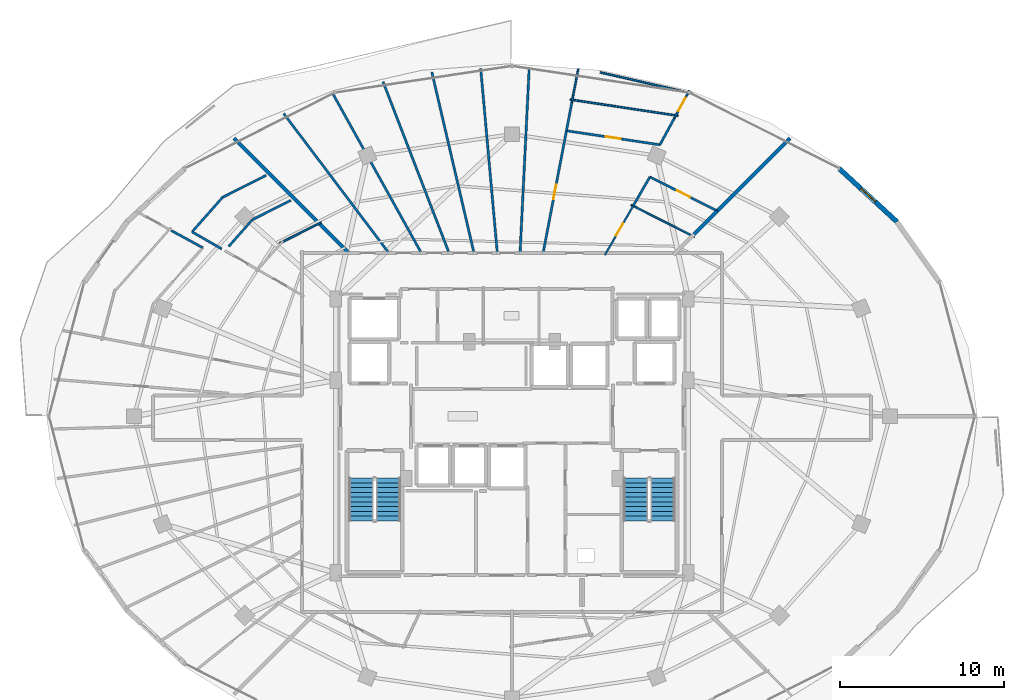
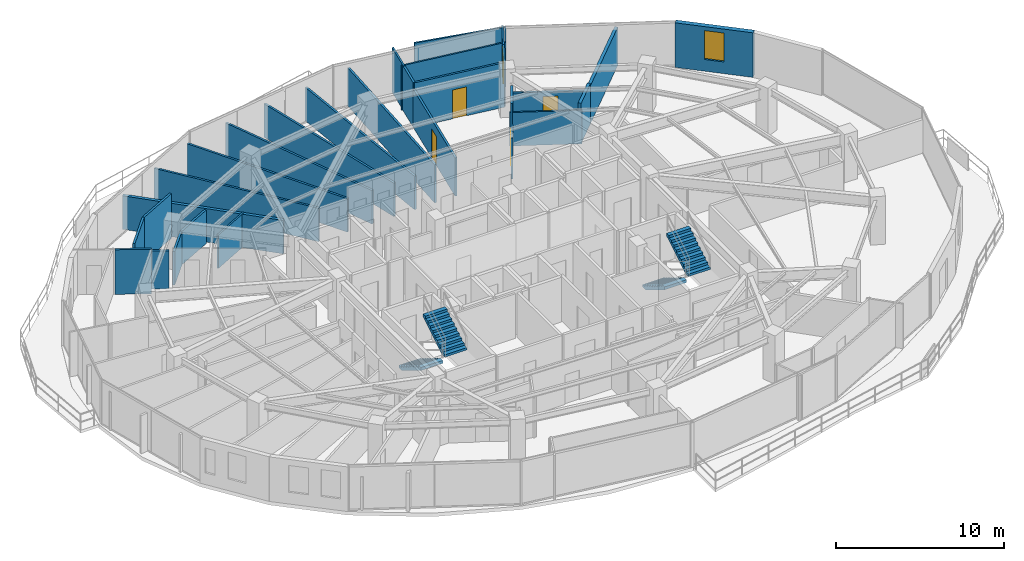
# One storey, part 27 of 31: 29 walls, 5 doors, 4 stair flights, 1 window, 6 openings, 2 elements without a shape of their own.
"""IFC4 building model written with IfcOpenShell, lengths in metres."""

from ifc_helpers import new_model, si_unit, direction, frame, frame_2d, origin, place, context, subcontext, project, spatial, polyline, rectangle, outline, extrude, material, layer, layer_set, type_object, element, fill, aggregate, save


model = new_model("IFC4")

# Units and contexts
model_context = context("Model", 3, precision=1e-05, world=origin(), true_north=direction((0.0, 1.0)))
body_context = subcontext(model_context, "Body", "Model", "MODEL_VIEW")
ifc_project = project(units=[si_unit("LENGTHUNIT", "METRE"), si_unit("AREAUNIT", "SQUARE_METRE"), si_unit("VOLUMEUNIT", "CUBIC_METRE"), si_unit("PLANEANGLEUNIT", "RADIAN"), si_unit("MASSUNIT", "GRAM", prefix="KILO")], contexts=[model_context])

# Site, building, storey
site_placement = place(None, origin())
site = spatial("IfcSite", under=ifc_project, at=site_placement, CompositionType="ELEMENT")
building_placement = place(site_placement, origin())
building = spatial("IfcBuilding", under=site, at=building_placement, Name="Vorneva Point Tower", CompositionType="ELEMENT")
storey_placement = place(building_placement, frame((0.0, 0.0, 193.10009765625)))
storey = spatial("IfcBuildingStorey", under=building, at=storey_placement, Name="L52", CompositionType="ELEMENT", Elevation=193.10009765625)

# Wall, opening, window
ifc_material_1 = material(Name="Precast concrete B50 (C40/50)", Category="concrete")
ifc_layer_1 = layer(ifc_material_1, 0.300048828125)
ifc_layer_set_1 = layer_set([ifc_layer_1], Name="Precast concrete B50 (C40/50)")
wall_type_1 = type_object("IfcWallType", Name="WL-EXT-300", PredefinedType="STANDARD", material=ifc_layer_set_1)
wall_1_placement = place(storey_placement, frame((61.472412109375, 37.861328125, 0.0), z_axis=(0.0, 0.0, 1.0), x_axis=(-0.735359993374, 0.677676678177, 0.0)))
wall_1 = element("IfcWall", 1, at=wall_1_placement, inside=storey, type_object=wall_type_1, Name="L52 Pale-Metal Facade Spandrel Wall 02.2", PredefinedType="STANDARD", context=body_context, shape_type="SweptSolid", body=[
    extrude(rectangle(XDim=4.774169921875, YDim=0.300048828125, at=frame_2d((2.38720703125, 0.0))), origin(), (0.0, 0.0, 1.0), 3.239990234375),
])
opening_1_placement = place(wall_1_placement, frame((1.787109375, 0.0, 0.85009765625)))
opening_1 = element("IfcOpeningElement", 2, at=opening_1_placement, cuts=wall_1, Name="Opening W-04", PredefinedType="OPENING", context=body_context, shape_type="SweptSolid", body=[
    extrude(rectangle(XDim=1.199951171875, YDim=2.10009765625, at=frame_2d((0.60009765625, 1.050048828125))), frame((0.0, 0.1650390625, 0.0), z_axis=(0.0, -1.0, 0.0), x_axis=(1.0, 0.0, 0.0)), (0.0, 0.0, 1.0), 0.329833984375),
])
ifc_material_2 = material(Name="Double low-e laminated glass IGU", Category="glass")
window_type = type_object("IfcWindowType", Name="WN-RES-1200", PartitioningType="SINGLE_PANEL", PredefinedType="WINDOW", material=ifc_material_2)
window_placement = place(opening_1_placement, origin())
window = element("IfcWindow", 3, at=window_placement, inside=storey, type_object=window_type, Name="L52 Facade Window 02", OverallHeight=2.10009765625, OverallWidth=1.199951171875, PartitioningType="SINGLE_PANEL", PredefinedType="WINDOW", context=body_context, shape_type="SweptSolid", body=[
    extrude(rectangle(XDim=1.199951171875, YDim=2.10009765625, at=frame_2d((0.60009765625, 1.050048828125))), frame((0.0, 0.030029296875, 0.0), z_axis=(0.0, -1.0, 0.0), x_axis=(1.0, 0.0, 0.0)), (0.0, 0.0, 1.0), 0.06005859375),
])
fill(opening_1, window)

# Wall, opening, door
ifc_material_3 = material(Name="Fire-rated acoustic gypsum stud partition", Category="gypsum")
ifc_layer_2 = layer(ifc_material_3, 0.110107421875)
ifc_layer_set_2 = layer_set([ifc_layer_2], Name="Fire-rated acoustic gypsum stud partition")
wall_type_2 = type_object("IfcWallType", Name="WL-PART-110", PredefinedType="PARTITIONING", material=ifc_layer_set_2)
wall_2_placement = place(storey_placement, frame((43.6640625, 35.82861328125, 0.0), z_axis=(0.0, 0.0, 1.0), x_axis=(0.49917767271, 0.866499654396, 0.0)))
wall_2 = element("IfcWall", 4, at=wall_2_placement, inside=storey, type_object=wall_type_2, Name="L52 Interior Partition 070", PredefinedType="PARTITIONING", context=body_context, shape_type="SweptSolid", body=[
    extrude(rectangle(XDim=3.595703125, YDim=0.110107421875, at=frame_2d((1.7978515625, 0.0))), origin(), (0.0, 0.0, 1.0), 2.971923828125),
])
opening_2_placement = place(wall_2_placement, frame((1.372802734375, 0.0, 0.0)))
opening_2 = element("IfcOpeningElement", 5, at=opening_2_placement, cuts=wall_2, Name="Opening ID-02", PredefinedType="OPENING", context=body_context, shape_type="SweptSolid", body=[
    extrude(rectangle(XDim=0.85009765625, YDim=2.10009765625, at=frame_2d((0.425048828125, 1.050048828125))), frame((0.0, 0.06982421875, 0.0), z_axis=(0.0, -1.0, 0.0), x_axis=(1.0, 0.0, 0.0)), (0.0, 0.0, 1.0), 0.139892578125),
])
ifc_material_4 = material(Name="Engineered oak fire-rated door leaf", Category="wood")
door_type_1 = type_object("IfcDoorType", Name="DR-BATH-850", OperationType="NOTDEFINED", PredefinedType="DOOR", material=ifc_material_4)
door_1_placement = place(opening_2_placement, origin())
door_1 = element("IfcDoor", 6, at=door_1_placement, inside=storey, type_object=door_type_1, Name="L52 Door Living and Dining Room L52-01 / Bathroom L52-01", OperationType="SINGLE_SWING_RIGHT", OverallHeight=2.10009765625, OverallWidth=0.85009765625, PredefinedType="DOOR", context=body_context, shape_type="SweptSolid", body=[
    extrude(rectangle(XDim=0.85009765625, YDim=2.10009765625, at=frame_2d((0.425048828125, 1.050048828125))), frame((0.0, 0.02490234375, 0.0), z_axis=(0.0, -1.0, 0.0), x_axis=(1.0, 0.0, 0.0)), (0.0, 0.0, 1.0), 0.050048828125),
])
fill(opening_2, door_1)

# Wall
wall_3_placement = place(storey_placement, frame((48.947509765625, 45.689697265625, 0.0), z_axis=(0.0, 0.0, 1.0), x_axis=(-0.974613198555, 0.223895317508, 0.0)))
element("IfcWall", 7, at=wall_3_placement, inside=storey, type_object=wall_type_2, Name="L52 Interior Partition 071", PredefinedType="PARTITIONING", context=body_context, shape_type="SweptSolid", body=[
    extrude(rectangle(XDim=5.71484375, YDim=0.110107421875, at=frame_2d((2.857421875, 0.0))), origin(), (0.0, 0.0, 1.0), 3.239990234375),
])

# Wall, opening, door
wall_4_placement = place(storey_placement, frame((48.819091796875, 45.85693359375, 0.0), z_axis=(0.0, 0.0, 1.0), x_axis=(-0.478311376557, -0.878190313689, 0.0)))
wall_4 = element("IfcWall", 8, at=wall_4_placement, inside=storey, type_object=wall_type_2, Name="L52 Interior Partition 072", PredefinedType="PARTITIONING", context=body_context, shape_type="SweptSolid", body=[
    extrude(rectangle(XDim=1.929931640625, YDim=0.110107421875, at=frame_2d((0.96484375, 0.0))), origin(), (0.0, 0.0, 1.0), 3.239990234375),
])
opening_3_placement = place(wall_4_placement, frame((0.514892578125, 0.0, 0.0)))
opening_3 = element("IfcOpeningElement", 9, at=opening_3_placement, cuts=wall_4, Name="Opening ID-01", PredefinedType="OPENING", context=body_context, shape_type="SweptSolid", body=[
    extrude(rectangle(XDim=0.89990234375, YDim=2.10009765625, at=frame_2d((0.449951171875, 1.050048828125))), frame((0.0, 0.06982421875, 0.0), z_axis=(0.0, -1.0, 0.0), x_axis=(1.0, 0.0, 0.0)), (0.0, 0.0, 1.0), 0.139892578125),
])
door_type_2 = type_object("IfcDoorType", Name="DR-ROOM-900", OperationType="NOTDEFINED", PredefinedType="DOOR", material=ifc_material_4)
door_2_placement = place(opening_3_placement, origin())
door_2 = element("IfcDoor", 10, at=door_2_placement, inside=storey, type_object=door_type_2, Name="L52 Door Living and Dining Room L52-01 / Kitchen L52-01", OperationType="SINGLE_SWING_RIGHT", OverallHeight=2.10009765625, OverallWidth=0.89990234375, PredefinedType="DOOR", context=body_context, shape_type="SweptSolid", body=[
    extrude(rectangle(XDim=0.89990234375, YDim=2.10009765625, at=frame_2d((0.449951171875, 1.050048828125))), frame((0.0, 0.02490234375, 0.0), z_axis=(0.0, -1.0, 0.0), x_axis=(1.0, 0.0, 0.0)), (0.0, 0.0, 1.0), 0.050048828125),
])
fill(opening_3, door_2)

# Walls
wall_5_placement = place(storey_placement, frame((45.263916015625, 38.885986328125, 0.0), z_axis=(0.0, 0.0, 1.0), x_axis=(0.892556527512, -0.450935522216, 0.0)))
element("IfcWall", 11, at=wall_5_placement, inside=storey, type_object=wall_type_2, Name="L52 Interior Partition 078", PredefinedType="PARTITIONING", context=body_context, shape_type="SweptSolid", body=[
    extrude(rectangle(XDim=4.32470703125, YDim=0.110107421875, at=frame_2d((2.162353515625, 0.0))), origin(), (0.0, 0.0, 1.0), 2.431884765625),
])
wall_6_placement = place(storey_placement, frame((41.54052734375, 45.311767578125, 0.0), z_axis=(0.0, 0.0, 1.0), x_axis=(0.988873931206, -0.148756002172, 0.0)))
element("IfcWall", 12, at=wall_6_placement, inside=storey, type_object=wall_type_2, Name="L52 Interior Partition 081", PredefinedType="PARTITIONING", context=body_context, shape_type="SweptSolid", body=[
    extrude(rectangle(XDim=6.6650390625, YDim=0.110107421875, at=frame_2d((3.33251953125, 0.0))), origin(), (0.0, 0.0, 1.0), 3.239990234375),
])
wall_7_placement = place(storey_placement, frame((42.041259765625, 47.1875, 0.0), z_axis=(0.0, 0.0, 1.0), x_axis=(-0.187605166264, -0.982244522301, 0.0)))
element("IfcWall", 13, at=wall_7_placement, inside=storey, type_object=wall_type_2, Name="L52 Interior Partition 082", PredefinedType="PARTITIONING", context=body_context, shape_type="SweptSolid", body=[
    extrude(rectangle(XDim=2.070556640625, YDim=0.110107421875, at=frame_2d((1.03515625, 0.0))), origin(), (0.0, 0.0, 1.0), 3.239990234375),
])
wall_8_placement = place(storey_placement, frame((23.845947265625, 36.5458984375, 0.0), z_axis=(0.0, 0.0, 1.0), x_axis=(0.892553076465, 0.450942352959, 0.0)))
element("IfcWall", 14, at=wall_8_placement, inside=storey, type_object=wall_type_2, Name="L52 Interior Partition 100", PredefinedType="PARTITIONING", context=body_context, shape_type="SweptSolid", body=[
    extrude(rectangle(XDim=2.82568359375, YDim=0.110107421875, at=frame_2d((1.412841796875, 0.0))), origin(), (0.0, 0.0, 1.0), 2.431884765625),
])

# Wall, opening, door
ifc_layer_3 = layer(ifc_material_3, 0.139892578125)
ifc_layer_set_3 = layer_set([ifc_layer_3], Name="Fire-rated acoustic gypsum stud partition")
wall_type_3 = type_object("IfcWallType", Name="WL-PART-140", PredefinedType="PARTITIONING", material=ifc_layer_set_3)
wall_9_placement = place(storey_placement, frame((46.407958984375, 40.592041015625, 0.0), z_axis=(0.0, 0.0, 1.0), x_axis=(0.89252026196, -0.451007297049, 0.0)))
wall_9 = element("IfcWall", 15, at=wall_9_placement, inside=storey, type_object=wall_type_3, Name="L52 Interior Partition 068", PredefinedType="PARTITIONING", context=body_context, shape_type="SweptSolid", body=[
    extrude(rectangle(XDim=4.602783203125, YDim=0.139892578125, at=frame_2d((2.30126953125, 0.0))), origin(), (0.0, 0.0, 1.0), 2.431884765625),
])
opening_4_placement = place(wall_9_placement, frame((1.851318359375, 0.0, 0.0)))
opening_4 = element("IfcOpeningElement", 16, at=opening_4_placement, cuts=wall_9, Name="Opening ID-01", PredefinedType="OPENING", context=body_context, shape_type="SweptSolid", body=[
    extrude(rectangle(XDim=0.89990234375, YDim=2.10009765625, at=frame_2d((0.449951171875, 1.050048828125))), frame((0.0, 0.0849609375, 0.0), z_axis=(0.0, -1.0, 0.0), x_axis=(1.0, 0.0, 0.0)), (0.0, 0.0, 1.0), 0.169677734375),
])
door_3_placement = place(opening_4_placement, origin())
door_3 = element("IfcDoor", 17, at=door_3_placement, inside=storey, type_object=door_type_2, Name="L52 Door Living and Dining Room L52-01 / Family Dining Room L52-01", OperationType="SINGLE_SWING_LEFT", OverallHeight=2.10009765625, OverallWidth=0.89990234375, PredefinedType="DOOR", context=body_context, shape_type="SweptSolid", body=[
    extrude(rectangle(XDim=0.89990234375, YDim=2.10009765625, at=frame_2d((0.449951171875, 1.050048828125))), frame((0.0, 0.02490234375, 0.0), z_axis=(0.0, -1.0, 0.0), x_axis=(1.0, 0.0, 0.0)), (0.0, 0.0, 1.0), 0.050048828125),
])
fill(opening_4, door_3)

# Walls
wall_10_placement = place(storey_placement, frame((45.388916015625, 38.822998046875, 0.0), z_axis=(0.0, 0.0, 1.0), x_axis=(0.499149502221, 0.866515882389, 0.0)))
element("IfcWall", 18, at=wall_10_placement, inside=storey, type_object=wall_type_3, Name="L52 Interior Partition 069", PredefinedType="PARTITIONING", context=body_context, shape_type="SweptSolid", body=[
    extrude(rectangle(XDim=2.04150390625, YDim=0.139892578125, at=frame_2d((1.020751953125, 0.0))), origin(), (0.0, 0.0, 1.0), 2.921875),
])
wall_11_placement = place(storey_placement, frame((47.895751953125, 44.162109375, 0.0), z_axis=(0.0, 0.0, 1.0), x_axis=(-0.47839521225, -0.87814464691, 0.0)))
element("IfcWall", 19, at=wall_11_placement, inside=storey, type_object=wall_type_3, Name="L52 Interior Partition 073", PredefinedType="PARTITIONING", context=body_context, shape_type="SweptSolid", body=[
    extrude(rectangle(XDim=1.834716796875, YDim=0.139892578125, at=frame_2d((0.91748046875, 0.0))), origin(), (0.0, 0.0, 1.0), 3.239990234375),
])

# Wall, opening, door
wall_12_placement = place(storey_placement, frame((47.01806640625, 42.551025390625, 0.0), z_axis=(0.0, 0.0, 1.0), x_axis=(-0.98887565722, 0.148744527827, 0.0)))
wall_12 = element("IfcWall", 20, at=wall_12_placement, inside=storey, type_object=wall_type_3, Name="L52 Interior Partition 074", PredefinedType="PARTITIONING", context=body_context, shape_type="SweptSolid", body=[
    extrude(rectangle(XDim=5.76123046875, YDim=0.139892578125, at=frame_2d((2.880615234375, 0.0))), origin(), (0.0, 0.0, 1.0), 3.239990234375),
])
opening_5_placement = place(wall_12_placement, frame((2.430419921875, 0.0, 0.0)))
opening_5 = element("IfcOpeningElement", 21, at=opening_5_placement, cuts=wall_12, Name="Opening ID-01", PredefinedType="OPENING", context=body_context, shape_type="SweptSolid", body=[
    extrude(rectangle(XDim=0.89990234375, YDim=2.10009765625, at=frame_2d((0.449951171875, 1.050048828125))), frame((0.0, 0.0849609375, 0.0), z_axis=(0.0, -1.0, 0.0), x_axis=(1.0, 0.0, 0.0)), (0.0, 0.0, 1.0), 0.169677734375),
])
door_4_placement = place(opening_5_placement, origin())
door_4 = element("IfcDoor", 22, at=door_4_placement, inside=storey, type_object=door_type_2, Name="L52 Door Living and Dining Room L52-01 / Study Room L52-01", OperationType="SINGLE_SWING_LEFT", OverallHeight=2.10009765625, OverallWidth=0.89990234375, PredefinedType="DOOR", context=body_context, shape_type="SweptSolid", body=[
    extrude(rectangle(XDim=0.89990234375, YDim=2.10009765625, at=frame_2d((0.449951171875, 1.050048828125))), frame((0.0, 0.02490234375, 0.0), z_axis=(0.0, -1.0, 0.0), x_axis=(1.0, 0.0, 0.0)), (0.0, 0.0, 1.0), 0.050048828125),
])
fill(opening_5, door_4)

# Wall
wall_13_placement = place(storey_placement, frame((41.321044921875, 43.407958984375, 0.0), z_axis=(0.0, 0.0, 1.0), x_axis=(0.187217449549, 0.982318495491, 0.0)))
element("IfcWall", 23, at=wall_13_placement, inside=storey, type_object=wall_type_3, Name="L52 Interior Partition 075", PredefinedType="PARTITIONING", context=body_context, shape_type="SweptSolid", body=[
    extrude(rectangle(XDim=1.9169921875, YDim=0.139892578125, at=frame_2d((0.95849609375, 0.0))), origin(), (0.0, 0.0, 1.0), 3.239990234375),
])

# Wall, opening, door
wall_14_placement = place(storey_placement, frame((41.32080078125, 43.407958984375, 0.0), z_axis=(0.0, 0.0, 1.0), x_axis=(-0.187401709503, -0.982283359971, 0.0)))
wall_14 = element("IfcWall", 24, at=wall_14_placement, inside=storey, type_object=wall_type_3, Name="L52 Interior Partition 076", PredefinedType="PARTITIONING", context=body_context, shape_type="SweptSolid", body=[
    extrude(rectangle(XDim=7.592529296875, YDim=0.139892578125, at=frame_2d((3.79638671875, 0.0))), origin(), (0.0, 0.0, 1.0), 2.77392578125),
])
opening_6_placement = place(wall_14_placement, frame((3.34619140625, 0.0, 0.0)))
opening_6 = element("IfcOpeningElement", 25, at=opening_6_placement, cuts=wall_14, Name="Opening ID-01", PredefinedType="OPENING", context=body_context, shape_type="SweptSolid", body=[
    extrude(rectangle(XDim=0.89990234375, YDim=2.10009765625, at=frame_2d((0.449951171875, 1.050048828125))), frame((0.0, 0.0849609375, 0.0), z_axis=(0.0, -1.0, 0.0), x_axis=(1.0, 0.0, 0.0)), (0.0, 0.0, 1.0), 0.169677734375),
])
door_5_placement = place(opening_6_placement, origin())
door_5 = element("IfcDoor", 26, at=door_5_placement, inside=storey, type_object=door_type_2, Name="L52 Door Living and Dining Room L52-01 / Master Bedroom L52-01.1", OperationType="SINGLE_SWING_RIGHT", OverallHeight=2.10009765625, OverallWidth=0.89990234375, PredefinedType="DOOR", context=body_context, shape_type="SweptSolid", body=[
    extrude(rectangle(XDim=0.89990234375, YDim=2.10009765625, at=frame_2d((0.449951171875, 1.050048828125))), frame((0.0, 0.02490234375, 0.0), z_axis=(0.0, -1.0, 0.0), x_axis=(1.0, 0.0, 0.0)), (0.0, 0.0, 1.0), 0.050048828125),
])
fill(opening_6, door_5)

# Walls
wall_15_placement = place(storey_placement, frame((39.051025390625, 47.27099609375, 0.0), z_axis=(0.0, 0.0, 1.0), x_axis=(-0.049324203907, -0.998782820692, 0.0)))
element("IfcWall", 27, at=wall_15_placement, inside=storey, type_object=wall_type_3, Name="L52 Interior Partition 083", PredefinedType="PARTITIONING", context=body_context, shape_type="SweptSolid", body=[
    extrude(rectangle(XDim=11.3349609375, YDim=0.139892578125, at=frame_2d((5.66748046875, 0.0))), origin(), (0.0, 0.0, 1.0), 2.77392578125),
])
wall_16_placement = place(storey_placement, frame((36.091064453125, 47.20703125, 0.0), z_axis=(0.0, 0.0, 1.0), x_axis=(0.089620343685, -0.995976000714, 0.0)))
element("IfcWall", 28, at=wall_16_placement, inside=storey, type_object=wall_type_3, Name="L52 Interior Partition 084", PredefinedType="PARTITIONING", context=body_context, shape_type="SweptSolid", body=[
    extrude(rectangle(XDim=11.302490234375, YDim=0.139892578125, at=frame_2d((5.6513671875, 0.0))), origin(), (0.0, 0.0, 1.0), 2.431884765625),
])
wall_17_placement = place(storey_placement, frame((33.111083984375, 46.985107421875, 0.0), z_axis=(0.0, 0.0, 1.0), x_axis=(0.226889028745, -0.973920617214, 0.0)))
element("IfcWall", 29, at=wall_17_placement, inside=storey, type_object=wall_type_3, Name="L52 Interior Partition 085", PredefinedType="PARTITIONING", context=body_context, shape_type="SweptSolid", body=[
    extrude(rectangle(XDim=11.33056640625, YDim=0.139892578125, at=frame_2d((5.665283203125, 0.0))), origin(), (0.0, 0.0, 1.0), 2.431884765625),
])
wall_18_placement = place(storey_placement, frame((30.135009765625, 46.39794921875, 0.0), z_axis=(0.0, 0.0, 1.0), x_axis=(0.359727007777, -0.933057597298, 0.0)))
element("IfcWall", 30, at=wall_18_placement, inside=storey, type_object=wall_type_3, Name="L52 Interior Partition 086", PredefinedType="PARTITIONING", context=body_context, shape_type="SweptSolid", body=[
    extrude(rectangle(XDim=11.197509765625, YDim=0.139892578125, at=frame_2d((5.5986328125, 0.0))), origin(), (0.0, 0.0, 1.0), 2.431884765625),
])
wall_19_placement = place(storey_placement, frame((27.069091796875, 45.673095703125, 0.0), z_axis=(0.0, 0.0, 1.0), x_axis=(0.485717471054, -0.874115860921, 0.0)))
element("IfcWall", 31, at=wall_19_placement, inside=storey, type_object=wall_type_3, Name="L52 Interior Partition 087", PredefinedType="PARTITIONING", context=body_context, shape_type="SweptSolid", body=[
    extrude(rectangle(XDim=11.123291015625, YDim=0.139892578125, at=frame_2d((5.5615234375, 0.0))), origin(), (0.0, 0.0, 1.0), 2.431884765625),
])
wall_20_placement = place(storey_placement, frame((24.074951171875, 44.4599609375, 0.0), z_axis=(0.0, 0.0, 1.0), x_axis=(0.602185523072, -0.798356183544, 0.0)))
element("IfcWall", 32, at=wall_20_placement, inside=storey, type_object=wall_type_3, Name="L52 Interior Partition 088", PredefinedType="PARTITIONING", context=body_context, shape_type="SweptSolid", body=[
    extrude(rectangle(XDim=10.659423828125, YDim=0.139892578125, at=frame_2d((5.32958984375, 0.0))), origin(), (0.0, 0.0, 1.0), 2.431884765625),
])
wall_21_placement = place(storey_placement, frame((17.22900390625, 37.31689453125, 0.0), z_axis=(0.0, 0.0, 1.0), x_axis=(0.878117834212, -0.47844442649, 0.0)))
element("IfcWall", 33, at=wall_21_placement, inside=storey, type_object=wall_type_3, Name="L52 Interior Partition 094", PredefinedType="PARTITIONING", context=body_context, shape_type="SweptSolid", body=[
    extrude(rectangle(XDim=2.181884765625, YDim=0.139892578125, at=frame_2d((1.0908203125, 0.0))), origin(), (0.0, 0.0, 1.0), 3.239990234375),
])
wall_22_placement = place(storey_placement, frame((18.489990234375, 37.241943359375, 0.0), z_axis=(0.0, 0.0, 1.0), x_axis=(0.662371376331, 0.749175653513, 0.0)))
element("IfcWall", 34, at=wall_22_placement, inside=storey, type_object=wall_type_3, Name="L52 Interior Closure Partition 149", PredefinedType="PARTITIONING", context=body_context, shape_type="SweptSolid", body=[
    extrude(rectangle(XDim=2.809814453125, YDim=0.139892578125, at=frame_2d((1.40478515625, 0.0))), origin(), (0.0, 0.0, 1.0), 3.239990234375),
])
wall_23_placement = place(storey_placement, frame((20.35107421875, 39.346923828125, 0.0), z_axis=(0.0, 0.0, 1.0), x_axis=(0.89244587056, 0.451154483653, 0.0)))
element("IfcWall", 35, at=wall_23_placement, inside=storey, type_object=wall_type_3, Name="L52 Interior Closure Partition 150", PredefinedType="PARTITIONING", context=body_context, shape_type="SweptSolid", body=[
    extrude(rectangle(XDim=2.970458984375, YDim=0.139892578125, at=frame_2d((1.4853515625, 0.0))), origin(), (0.0, 0.0, 1.0), 3.239990234375),
])
wall_24_placement = place(storey_placement, frame((20.300048828125, 36.198974609375, 0.0), z_axis=(0.0, 0.0, 1.0), x_axis=(-0.86645395742, 0.499256987604, 0.0)))
element("IfcWall", 36, at=wall_24_placement, inside=storey, type_object=wall_type_3, Name="L52 Interior Closure Partition 151", PredefinedType="PARTITIONING", context=body_context, shape_type="SweptSolid", body=[
    extrude(rectangle(XDim=2.089111328125, YDim=0.139892578125, at=frame_2d((1.04443359375, 0.0))), origin(), (0.0, 0.0, 1.0), 2.77392578125),
])
wall_25_placement = place(storey_placement, frame((24.51904296875, 39.169921875, 0.0), z_axis=(0.0, 0.0, 1.0), x_axis=(-0.89247840077, -0.451090128643, 0.0)))
element("IfcWall", 37, at=wall_25_placement, inside=storey, type_object=wall_type_3, Name="L52 Interior Closure Partition 152", PredefinedType="PARTITIONING", context=body_context, shape_type="SweptSolid", body=[
    extrude(rectangle(XDim=2.642333984375, YDim=0.139892578125, at=frame_2d((1.3212890625, 0.0))), origin(), (0.0, 0.0, 1.0), 2.431884765625),
])
wall_26_placement = place(storey_placement, frame((22.160888671875, 37.97802734375, 0.0), z_axis=(0.0, 0.0, 1.0), x_axis=(-0.662476802918, -0.749082429106, 0.0)))
element("IfcWall", 38, at=wall_26_placement, inside=storey, type_object=wall_type_3, Name="L52 Interior Closure Partition 153", PredefinedType="PARTITIONING", context=body_context, shape_type="SweptSolid", body=[
    extrude(rectangle(XDim=2.170654296875, YDim=0.139892578125, at=frame_2d((1.08544921875, 0.0))), origin(), (0.0, 0.0, 1.0), 2.431884765625),
])
ifc_material_5 = material(Name="Autoclaved aerated concrete blockwork", Category="masonry")
ifc_layer_4 = layer(ifc_material_5, 0.199951171875)
ifc_layer_set_4 = layer_set([ifc_layer_4], Name="Autoclaved aerated concrete blockwork")
wall_type_4 = type_object("IfcWallType", Name="WL-PART-200", PredefinedType="PARTITIONING", material=ifc_layer_set_4)
wall_27_placement = place(storey_placement, frame((50.51611328125, 38.51611328125, 0.0), z_axis=(0.0, 0.0, 1.0), x_axis=(0.707106781187, 0.707106781187, 0.0)))
element("IfcWall", 39, at=wall_27_placement, inside=storey, type_object=wall_type_4, Name="L52 Interior Partition 077", PredefinedType="PARTITIONING", context=body_context, shape_type="SweptSolid", body=[
    extrude(rectangle(XDim=6.283203125, YDim=0.199951171875, at=frame_2d((3.1416015625, 0.0))), origin(), (0.0, 0.0, 1.0), 2.77392578125),
])
wall_28_placement = place(storey_placement, frame((48.9990234375, 36.9990234375, 0.0), z_axis=(0.0, 0.0, 1.0), x_axis=(0.707106781187, 0.707106781187, 0.0)))
element("IfcWall", 40, at=wall_28_placement, inside=storey, type_object=wall_type_4, Name="L52 Interior Partition 079", PredefinedType="PARTITIONING", context=body_context, shape_type="SweptSolid", body=[
    extrude(rectangle(XDim=2.1455078125, YDim=0.199951171875, at=frame_2d((1.07275390625, 0.0))), origin(), (0.0, 0.0, 1.0), 2.921875),
])
wall_29_placement = place(storey_placement, frame((21.041015625, 42.958984375, 0.0), z_axis=(0.0, 0.0, 1.0), x_axis=(0.707106781187, -0.707106781187, 0.0)))
element("IfcWall", 41, at=wall_29_placement, inside=storey, type_object=wall_type_4, Name="L52 Interior Partition 089", PredefinedType="PARTITIONING", context=body_context, shape_type="SweptSolid", body=[
    extrude(rectangle(XDim=9.912353515625, YDim=0.199951171875, at=frame_2d((4.9560546875, 0.0))), origin(), (0.0, 0.0, 1.0), 2.431884765625),
])

# Stair, stair flights
ifc_material_6 = material(Name="Concrete B50 (C40/50)", Category="concrete")
stair_type = type_object("IfcStairType", Name="ST-DOG-1500", PredefinedType="HALF_TURN_STAIR", material=ifc_material_6)
stair_1_placement = place(storey_placement, origin())
stair_1 = element("IfcStair", 42, at=stair_1_placement, inside=storey, type_object=stair_type, Name="L52 ST1", PredefinedType="HALF_TURN_STAIR")
stair_flight_type = type_object("IfcStairFlightType", Name="STF-1500", PredefinedType="STRAIGHT", material=ifc_material_6)
stair_flight_1_placement = place(storey_placement, frame((28.800048828125, 22.219970703125, 0.0), z_axis=(0.0, 0.0, 1.0), x_axis=(0.0, -1.0, 0.0)))
stair_flight_1 = element("IfcStairFlight", 43, at=stair_flight_1_placement, type_object=stair_flight_type, Name="ST1 flight 1", NumberOfRisers=10, NumberOfTreads=9, PredefinedType="STRAIGHT", RiserHeight=0.175, TreadLength=0.29, context=body_context, shape_type="SweptSolid", body=[
    extrude(outline(polyline([(0.0, 0.0), (0.0, 0.175048828125), (0.2900390625, 0.175048828125), (0.2900390625, 0.35009765625), (0.580078125, 0.35009765625), (0.580078125, 0.52490234375), (0.8701171875, 0.52490234375), (0.8701171875, 0.699951171875), (1.159912109375, 0.699951171875), (1.159912109375, 0.875), (1.449951171875, 0.875), (1.449951171875, 1.050048828125), (1.739990234375, 1.050048828125), (1.739990234375, 1.22509765625), (2.030029296875, 1.22509765625), (2.030029296875, 1.39990234375), (2.320068359375, 1.39990234375), (2.320068359375, 1.574951171875), (2.610107421875, 1.574951171875), (2.610107421875, 1.75), (2.610107421875, 1.36474609375), (0.34814453125, 0.0), (0.0, 0.0)])), frame((0.0, 0.75, 0.0), z_axis=(0.0, -1.0, 0.0), x_axis=(1.0, 0.0, 0.0)), (0.0, 0.0, 1.0), 1.5),
])
stair_flight_2_placement = place(storey_placement, frame((30.449951171875, 19.610107421875, 1.75), z_axis=(0.0, 0.0, 1.0), x_axis=(0.0, 1.0, 0.0)))
stair_flight_2 = element("IfcStairFlight", 44, at=stair_flight_2_placement, type_object=stair_flight_type, Name="ST1 flight 2", NumberOfRisers=10, NumberOfTreads=9, PredefinedType="STRAIGHT", RiserHeight=0.175, TreadLength=0.29, context=body_context, shape_type="SweptSolid", body=[
    extrude(outline(polyline([(0.0, 0.0), (0.0, 0.175048828125), (0.2900390625, 0.175048828125), (0.2900390625, 0.35009765625), (0.580078125, 0.35009765625), (0.580078125, 0.52490234375), (0.8701171875, 0.52490234375), (0.8701171875, 0.699951171875), (1.159912109375, 0.699951171875), (1.159912109375, 0.875), (1.449951171875, 0.875), (1.449951171875, 1.050048828125), (1.739990234375, 1.050048828125), (1.739990234375, 1.22509765625), (2.030029296875, 1.22509765625), (2.030029296875, 1.39990234375), (2.320068359375, 1.39990234375), (2.320068359375, 1.574951171875), (2.610107421875, 1.574951171875), (2.610107421875, 1.75), (2.610107421875, 1.36474609375), (0.34814453125, 0.0), (0.0, 0.0)])), frame((0.0, 0.75, 0.0), z_axis=(0.0, -1.0, 0.0), x_axis=(1.0, 0.0, 0.0)), (0.0, 0.0, 1.0), 1.5),
])
aggregate(stair_1, [stair_flight_1, stair_flight_2])

stair_2_placement = place(storey_placement, origin())
stair_2 = element("IfcStair", 45, at=stair_2_placement, inside=storey, type_object=stair_type, Name="L52 ST2", PredefinedType="HALF_TURN_STAIR")
stair_flight_3_placement = place(storey_placement, frame((45.550048828125, 22.219970703125, 0.0), z_axis=(0.0, 0.0, 1.0), x_axis=(0.0, -1.0, 0.0)))
stair_flight_3 = element("IfcStairFlight", 46, at=stair_flight_3_placement, type_object=stair_flight_type, Name="ST2 flight 1", NumberOfRisers=10, NumberOfTreads=9, PredefinedType="STRAIGHT", RiserHeight=0.175, TreadLength=0.29, context=body_context, shape_type="SweptSolid", body=[
    extrude(outline(polyline([(0.0, 0.0), (0.0, 0.175048828125), (0.2900390625, 0.175048828125), (0.2900390625, 0.35009765625), (0.580078125, 0.35009765625), (0.580078125, 0.52490234375), (0.8701171875, 0.52490234375), (0.8701171875, 0.699951171875), (1.159912109375, 0.699951171875), (1.159912109375, 0.875), (1.449951171875, 0.875), (1.449951171875, 1.050048828125), (1.739990234375, 1.050048828125), (1.739990234375, 1.22509765625), (2.030029296875, 1.22509765625), (2.030029296875, 1.39990234375), (2.320068359375, 1.39990234375), (2.320068359375, 1.574951171875), (2.610107421875, 1.574951171875), (2.610107421875, 1.75), (2.610107421875, 1.36474609375), (0.34814453125, 0.0), (0.0, 0.0)])), frame((0.0, 0.75, 0.0), z_axis=(0.0, -1.0, 0.0), x_axis=(1.0, 0.0, 0.0)), (0.0, 0.0, 1.0), 1.5),
])
stair_flight_4_placement = place(storey_placement, frame((47.199951171875, 19.610107421875, 1.75), z_axis=(0.0, 0.0, 1.0), x_axis=(0.0, 1.0, 0.0)))
stair_flight_4 = element("IfcStairFlight", 47, at=stair_flight_4_placement, type_object=stair_flight_type, Name="ST2 flight 2", NumberOfRisers=10, NumberOfTreads=9, PredefinedType="STRAIGHT", RiserHeight=0.175, TreadLength=0.29, context=body_context, shape_type="SweptSolid", body=[
    extrude(outline(polyline([(0.0, 0.0), (0.0, 0.175048828125), (0.2900390625, 0.175048828125), (0.2900390625, 0.35009765625), (0.580078125, 0.35009765625), (0.580078125, 0.52490234375), (0.8701171875, 0.52490234375), (0.8701171875, 0.699951171875), (1.159912109375, 0.699951171875), (1.159912109375, 0.875), (1.449951171875, 0.875), (1.449951171875, 1.050048828125), (1.739990234375, 1.050048828125), (1.739990234375, 1.22509765625), (2.030029296875, 1.22509765625), (2.030029296875, 1.39990234375), (2.320068359375, 1.39990234375), (2.320068359375, 1.574951171875), (2.610107421875, 1.574951171875), (2.610107421875, 1.75), (2.610107421875, 1.36474609375), (0.34814453125, 0.0), (0.0, 0.0)])), frame((0.0, 0.75, 0.0), z_axis=(0.0, -1.0, 0.0), x_axis=(1.0, 0.0, 0.0)), (0.0, 0.0, 1.0), 1.5),
])
aggregate(stair_2, [stair_flight_3, stair_flight_4])

save(model, "model.ifc")
